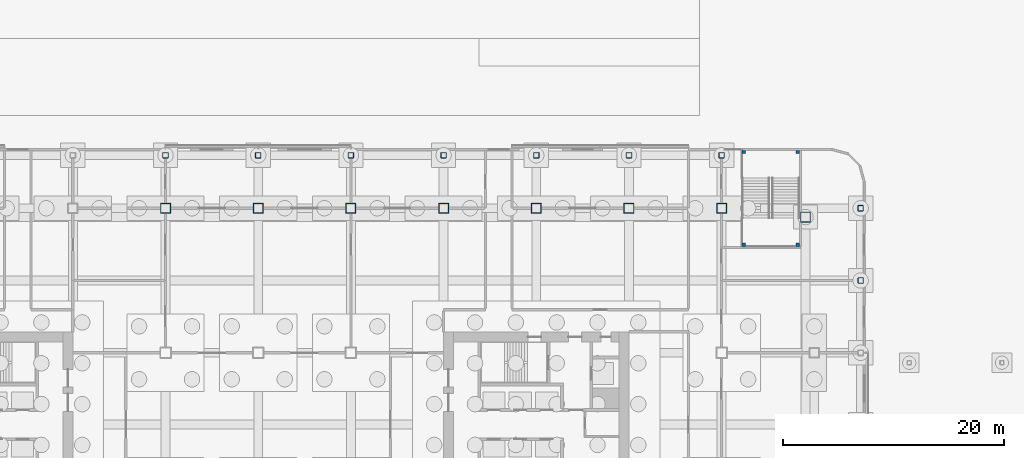
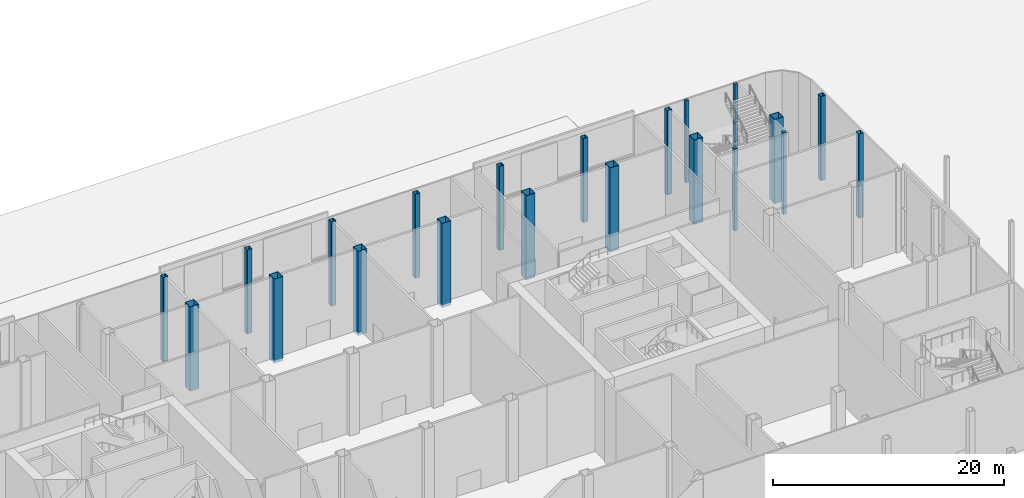
# One storey, part 14 of 113: 21 columns.
"""IFC4 building model written with IfcOpenShell, lengths in metres."""

import ifcopenshell
import ifcopenshell.guid

model = None  # the IFC model being written
_history = None  # IfcOwnerHistory: only IFC2X3 demands one
_inside = {}  # id of a spatial element -> (the spatial element, [elements in it])
_under = {}  # id of a project, library or spatial element -> (it, [spatial elements below it])
_declared = {}  # id of a project -> (the project, [libraries it declares])
_typed = {}  # id of a type object -> (the type object, [elements of that type])
_made_of = {}  # id of a material, layer set ... -> (it, [elements and type objects made of it])


def new_model(schema):
    """Start an empty IFC model of exactly this schema.

    Asked for "IFC4X3", IfcOpenShell would pick the latest addendum, in which some entities
    have other attributes; the version numbers below select the first issue.
    IFC2X3 requires an IfcOwnerHistory on every rooted entity: one is made here for all.
    """
    global model, _history
    if schema == "IFC4X3":
        model = ifcopenshell.file(schema_version=(4, 3, 0, 0))
    else:
        model = ifcopenshell.file(schema=schema)
    _inside.clear()
    _under.clear()
    _declared.clear()
    _typed.clear()
    _made_of.clear()
    _history = None
    if model.schema == "IFC2X3":
        org = make("IfcOrganization", Name="unknown")
        user = make(
            "IfcPersonAndOrganization",
            ThePerson=make("IfcPerson", FamilyName="unknown"),
            TheOrganization=org,
        )
        app = make(
            "IfcApplication",
            ApplicationDeveloper=org,
            Version="unknown",
            ApplicationFullName="unknown",
            ApplicationIdentifier="unknown",
        )
        _history = make(
            "IfcOwnerHistory",
            OwningUser=user,
            OwningApplication=app,
            ChangeAction="ADDED",
            CreationDate=0,
        )
    return model


def make(cls, **values):
    """One entity of the class cls with the attributes given. An attribute that is None is left unset."""
    return model.create_entity(
        cls, **{name: value for name, value in values.items() if value is not None}
    )


def rooted(cls, **values):
    """An entity with a GlobalId (a new one), such as an element, a storey or a relation."""
    return make(cls, GlobalId=ifcopenshell.guid.new(), OwnerHistory=_history, **values)


def si_unit(unit_type, name, prefix=None):
    """IfcSIUnit, for example si_unit("LENGTHUNIT", "METRE", prefix="MILLI")."""
    return make("IfcSIUnit", UnitType=unit_type, Prefix=prefix, Name=name)


def assignment(units):
    """IfcUnitAssignment: the units of a project."""
    return None if units is None else make("IfcUnitAssignment", Units=units)


def point(xyz):
    """IfcCartesianPoint."""
    return None if xyz is None else make("IfcCartesianPoint", Coordinates=xyz)


def direction(xyz):
    """IfcDirection."""
    return None if xyz is None else make("IfcDirection", DirectionRatios=xyz)


def frame(location, z_axis=None, x_axis=None):
    """IfcAxis2Placement3D, a coordinate frame: its origin and axes. An axis left out is left unset."""
    return make(
        "IfcAxis2Placement3D",
        Location=point(location),
        Axis=direction(z_axis),
        RefDirection=direction(x_axis),
    )


def frame_2d(location, x_axis=None):
    """IfcAxis2Placement2D, a coordinate frame in the plane: its origin and x axis."""
    return make(
        "IfcAxis2Placement2D", Location=point(location), RefDirection=direction(x_axis)
    )


def origin():
    """The frame at (0, 0, 0) with its axes left unset."""
    return frame((0.0, 0.0, 0.0))


def origin_2d():
    """The frame at (0, 0) in the plane with its x axis left unset."""
    return frame_2d((0.0, 0.0))


def place(relative_to, where):
    """IfcLocalPlacement: puts the frame where relative to a parent placement (None: the world)."""
    return make(
        "IfcLocalPlacement", PlacementRelTo=relative_to, RelativePlacement=where
    )


def context(
    kind, dimensions, precision=None, world=None, true_north=None, identifier=None
):
    """IfcGeometricRepresentationContext, for example the 3D "Model" context."""
    return make(
        "IfcGeometricRepresentationContext",
        ContextIdentifier=identifier,
        ContextType=kind,
        CoordinateSpaceDimension=dimensions,
        Precision=precision,
        WorldCoordinateSystem=world,
        TrueNorth=true_north,
    )


def subcontext(parent, identifier, kind, view, scale=None):
    """IfcGeometricRepresentationSubContext, for example "Body" below "Model"."""
    return make(
        "IfcGeometricRepresentationSubContext",
        ContextIdentifier=identifier,
        ContextType=kind,
        ParentContext=parent,
        TargetScale=scale,
        TargetView=view,
    )


def project(units=None, contexts=None):
    """IfcProject with its units and contexts."""
    return rooted(
        "IfcProject",
        Name="project",
        RepresentationContexts=contexts,
        UnitsInContext=assignment(units),
    )


def spatial(cls, under=None, at=None, **own):
    """A site, building, storey or space (cls), placed at a placement, below another one or the project."""
    s = rooted(cls, ObjectPlacement=at, **own)
    if under is not None:
        _under.setdefault(under.id(), (under, []))[1].append(s)
    return s


def profile(cls, at=None, kind="AREA", **sizes):
    """A parametric profile (cls). Its sizes go by their IFC names, for example OverallWidth=200.0."""
    return make(cls, ProfileType=kind, Position=at, **sizes)


def rectangle(**sizes):
    """IfcRectangleProfileDef."""
    return profile("IfcRectangleProfileDef", **sizes)


def hollow_rectangle(**sizes):
    """IfcRectangleHollowProfileDef."""
    return profile("IfcRectangleHollowProfileDef", **sizes)


def extrude(swept, where, along, depth):
    """IfcExtrudedAreaSolid: the profile swept, set in the frame where, extruded along a direction by depth."""
    return make(
        "IfcExtrudedAreaSolid",
        SweptArea=swept,
        Position=where,
        ExtrudedDirection=direction(along),
        Depth=depth,
    )


def shape(context_of_items, identifier, shape_type, items):
    """IfcShapeRepresentation: the items that make up one representation, for example the "Body"."""
    return make(
        "IfcShapeRepresentation",
        ContextOfItems=context_of_items,
        RepresentationIdentifier=identifier,
        RepresentationType=shape_type,
        Items=items,
    )


def material(Name=None, Category=None):
    """IfcMaterial."""
    return make("IfcMaterial", Name=Name, Category=Category)


def material_profile(
    of_material, cross_section, Name=None, Category=None, Priority=None
):
    """IfcMaterialProfile: a cross section and its material."""
    return make(
        "IfcMaterialProfile",
        Name=Name,
        Material=of_material,
        Profile=cross_section,
        Priority=Priority,
        Category=Category,
    )


def profile_set(profiles, Name=None, composite=None):
    """IfcMaterialProfileSet."""
    return make(
        "IfcMaterialProfileSet",
        Name=Name,
        MaterialProfiles=profiles,
        CompositeProfile=composite,
    )


def made_of(thing, what):
    """Note that an element or type object is made of a material, layer set ...; save() writes the relation."""
    if what is not None:
        _made_of.setdefault(what.id(), (what, []))[1].append(thing)
    return thing


def type_object(cls, material=None, **own):
    """A type object (cls), such as IfcWallType, which elements share."""
    return made_of(rooted(cls, **own), material)


def element(
    cls,
    number,
    at=None,
    inside=None,
    cuts=None,
    type_object=None,
    material=None,
    context=None,
    identifier="Body",
    shape_type=None,
    held_by="IfcProductDefinitionShape",
    body=None,
    shapes=None,
    **own,
):
    """One element of the class cls, such as IfcWall. Its Tag is "e" and its number.

    at: its placement. inside: the storey or other place that contains it. cuts: it is an
    opening in that element (IfcRelVoidsElement). A single representation is given by context,
    identifier, shape_type and body (its items); several are given by shapes. held_by: the class
    of the entity that holds the representations. save() writes the other relations.
    """
    e = rooted(cls, Tag="e%d" % number, ObjectPlacement=at, **own)
    if body is not None:
        shapes = [shape(context, identifier, shape_type, body)]
    if shapes is not None:
        e.Representation = make(held_by, Representations=shapes)
    if inside is not None:
        _inside.setdefault(inside.id(), (inside, []))[1].append(e)
    if cuts is not None:
        rooted(
            "IfcRelVoidsElement", RelatingBuildingElement=cuts, RelatedOpeningElement=e
        )
    if type_object is not None:
        _typed.setdefault(type_object.id(), (type_object, []))[1].append(e)
    return made_of(e, material)


def aggregate(whole, parts):
    """IfcRelAggregates: a whole, such as a stair, and the parts it consists of."""
    return rooted("IfcRelAggregates", RelatingObject=whole, RelatedObjects=parts)


def save(model, path):
    """Write the relations noted so far, then the file.

    IfcRelAggregates (storeys below a building ...), IfcRelContainedInSpatialStructure (elements
    in a storey), IfcRelDefinesByType, IfcRelAssociatesMaterial and IfcRelDeclares: one each for
    every whole, place, type object, material and project.
    """
    for whole, parts in _under.values():
        aggregate(whole, parts)
    for where, things in _inside.values():
        rooted(
            "IfcRelContainedInSpatialStructure",
            RelatedElements=things,
            RelatingStructure=where,
        )
    for kind, things in _typed.values():
        rooted("IfcRelDefinesByType", RelatedObjects=things, RelatingType=kind)
    for what, things in _made_of.values():
        rooted("IfcRelAssociatesMaterial", RelatedObjects=things, RelatingMaterial=what)
    for by, libraries in _declared.values():
        rooted("IfcRelDeclares", RelatingContext=by, RelatedDefinitions=libraries)
    model.write(path)


model = new_model("IFC4")

# Units and contexts
model_context = context("Model", 3, precision=1e-05, world=origin(), true_north=direction((0.0, 1.0)))
body_context = subcontext(model_context, "Body", "Model", "MODEL_VIEW")
ifc_project = project(units=[si_unit("LENGTHUNIT", "METRE"), si_unit("AREAUNIT", "SQUARE_METRE"), si_unit("VOLUMEUNIT", "CUBIC_METRE"), si_unit("PLANEANGLEUNIT", "RADIAN"), si_unit("MASSUNIT", "GRAM", prefix="KILO")], contexts=[model_context])

# Site, building, storey
site_placement = place(None, origin())
site = spatial("IfcSite", under=ifc_project, at=site_placement, CompositionType="ELEMENT")
building_placement = place(site_placement, origin())
building = spatial("IfcBuilding", under=site, at=building_placement, Name="Hakoniwa Tower and Hamabe Station Hall", CompositionType="ELEMENT")
storey_placement = place(building_placement, origin())
storey = spatial("IfcBuildingStorey", under=building, at=storey_placement, Name="L01", CompositionType="ELEMENT", Elevation=0.0)

# Columns
ifc_material_1 = material(Name="Steel BCR295", Category="steel")
ifc_material_profile_1 = material_profile(ifc_material_1, hollow_rectangle(XDim=0.5, YDim=0.5, WallThickness=0.01904296875, InnerFilletRadius=0.028564453125, OuterFilletRadius=0.047607421875, at=origin_2d()), Name="BCR-500x500x19")
ifc_profile_set_1 = profile_set([ifc_material_profile_1], Name="Steel BCR295")
column_type_1 = type_object("IfcColumnType", Name="COLUMN BCR-500x500x19", PredefinedType="COLUMN", material=ifc_profile_set_1)
for number, where, z_axis, x_axis, name in (
    (1, (-8.39990234375, 24.39990234375, -0.300048828125), (0.0, 0.0, 1.0), (1.0, 0.0, 0.0), "Column P-6-RN"),
    (2, (0.0, 24.39990234375, -0.300048828125), (0.0, 0.0, 1.0), (1.0, 0.0, 0.0), "Column P-7-RN"),
    (3, (8.39990234375, 24.39990234375, -0.300048828125), (0.0, 0.0, 1.0), (1.0, 0.0, 0.0), "Column P-8-RN"),
    (4, (16.800048828125, 24.39990234375, -0.300048828125), (0.0, 0.0, 1.0), (1.0, 0.0, 0.0), "Column P-9-RN"),
    (5, (25.199951171875, 24.39990234375, -0.300048828125), (0.0, 0.0, 1.0), (1.0, 0.0, 0.0), "Column P-10-RN"),
    (6, (33.60009765625, 24.39990234375, -0.300048828125), (0.0, 0.0, 1.0), (1.0, 0.0, 0.0), "Column P-11-RN"),
    (7, (42.0, 24.39990234375, -0.300048828125), (0.0, 0.0, 1.0), (1.0, 0.0, 0.0), "Column P-12-RN"),
    (8, (54.60009765625, 13.050048828125, -0.300048828125), (0.0, 0.0, 1.0), (1.0, 0.0, 0.0), "Column P-RE-F1"),
    (9, (54.60009765625, 19.60009765625, -0.300048828125), (0.0, 0.0, 1.0), (1.0, 0.0, 0.0), "Column P-RE-G1"),
):
    element("IfcColumn", number, at=place(storey_placement, frame(where, z_axis=z_axis, x_axis=x_axis)), inside=storey, type_object=column_type_1, Name=name, PredefinedType="COLUMN", context=body_context, shape_type="SweptSolid", body=[
        extrude(hollow_rectangle(XDim=0.5, YDim=0.5, WallThickness=0.01904296875, InnerFilletRadius=0.028564453125, OuterFilletRadius=0.047607421875, at=origin_2d()), origin(), (0.0, 0.0, 1.0), 8.900146484375),
    ])
ifc_material_2 = material(Name="Steel SN490C", Category="steel")
ifc_material_profile_2 = material_profile(ifc_material_2, hollow_rectangle(XDim=0.89990234375, YDim=0.89990234375, WallThickness=0.035888671875, at=origin_2d()), Name="BX-900x900x36")
ifc_profile_set_2 = profile_set([ifc_material_profile_2], Name="Steel SN490C")
column_type_2 = type_object("IfcColumnType", Name="COLUMN BX-900x900x36", PredefinedType="COLUMN", material=ifc_profile_set_2)
for number, where, z_axis, x_axis, name in (
    (10, (-8.39990234375, 19.60009765625, -0.300048828125), (0.0, 0.0, 1.0), (1.0, 0.0, 0.0), "Column P-6-G1"),
    (11, (0.0, 19.60009765625, -0.300048828125), (0.0, 0.0, 1.0), (1.0, 0.0, 0.0), "Column P-7-G1"),
    (12, (8.39990234375, 19.60009765625, -0.300048828125), (0.0, 0.0, 1.0), (1.0, 0.0, 0.0), "Column P-8-G1"),
    (13, (16.800048828125, 19.60009765625, -0.300048828125), (0.0, 0.0, 1.0), (1.0, 0.0, 0.0), "Column P-9-G1"),
    (14, (25.199951171875, 19.60009765625, -0.300048828125), (0.0, 0.0, 1.0), (1.0, 0.0, 0.0), "Column P-10-G1"),
    (15, (33.60009765625, 19.60009765625, -0.300048828125), (0.0, 0.0, 1.0), (1.0, 0.0, 0.0), "Column P-11-G1"),
    (16, (42.0, 19.60009765625, -0.300048828125), (0.0, 0.0, 1.0), (1.0, 0.0, 0.0), "Column P-12-G1"),
    (17, (49.60302734375, 18.802978515625, -0.300048828125), (0.0, 0.0, 1.0), (1.0, 0.0, 0.0), "Column P-13-G1"),
):
    element("IfcColumn", number, at=place(storey_placement, frame(where, z_axis=z_axis, x_axis=x_axis)), inside=storey, type_object=column_type_2, Name=name, PredefinedType="COLUMN", context=body_context, shape_type="SweptSolid", body=[
        extrude(hollow_rectangle(XDim=0.89990234375, YDim=0.89990234375, WallThickness=0.035888671875, at=origin_2d()), origin(), (0.0, 0.0, 1.0), 8.900146484375),
    ])
ifc_material_3 = material(Name="Concrete C40", Category="concrete")
ifc_material_profile_3 = material_profile(ifc_material_3, rectangle(XDim=0.300048828125, YDim=0.300048828125, at=origin_2d()), Name="STAIR LANDING POST 300X300")
ifc_profile_set_3 = profile_set([ifc_material_profile_3], Name="Concrete C40")
column_type_3 = type_object("IfcColumnType", Name="STAIR LANDING POST 300X300", PredefinedType="COLUMN", material=ifc_profile_set_3)
for number, where, z_axis, x_axis, name in (
    (18, (44.0, 24.699951171875, 0.0), (0.0, 0.0, 1.0), (1.0, 0.0, 0.0), "Landing post PS2 1a"),
    (19, (48.89990234375, 24.699951171875, 0.0), (0.0, 0.0, 1.0), (1.0, 0.0, 0.0), "Landing post PS2 1b"),
    (20, (44.0, 16.300048828125, 0.0), (0.0, 0.0, 1.0), (1.0, 0.0, 0.0), "Landing post PS2 2a"),
    (21, (48.89990234375, 16.300048828125, 0.0), (0.0, 0.0, 1.0), (1.0, 0.0, 0.0), "Landing post PS2 2b"),
):
    element("IfcColumn", number, at=place(storey_placement, frame(where, z_axis=z_axis, x_axis=x_axis)), inside=storey, type_object=column_type_3, Name=name, PredefinedType="COLUMN", context=body_context, shape_type="SweptSolid", body=[
        extrude(rectangle(XDim=0.300048828125, YDim=0.300048828125, at=origin_2d()), origin(), (0.0, 0.0, 1.0), 8.699951171875),
    ])

save(model, "model.ifc")
